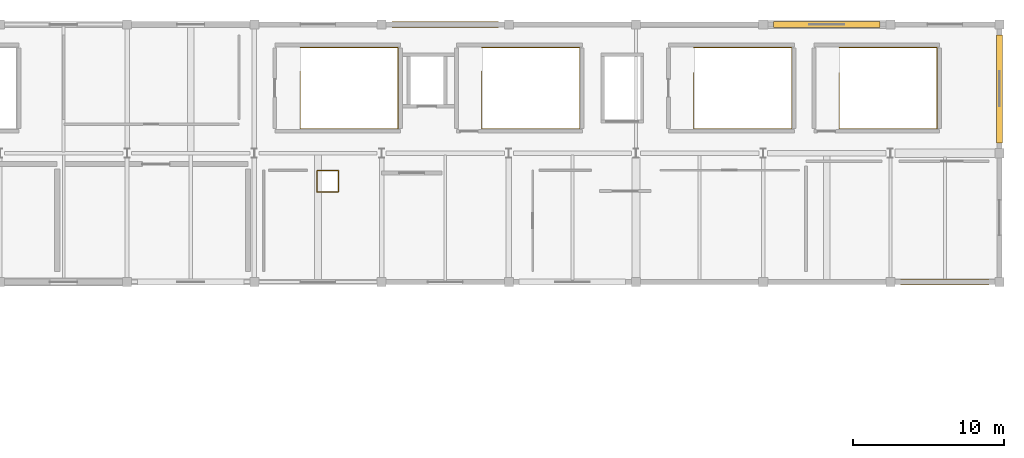
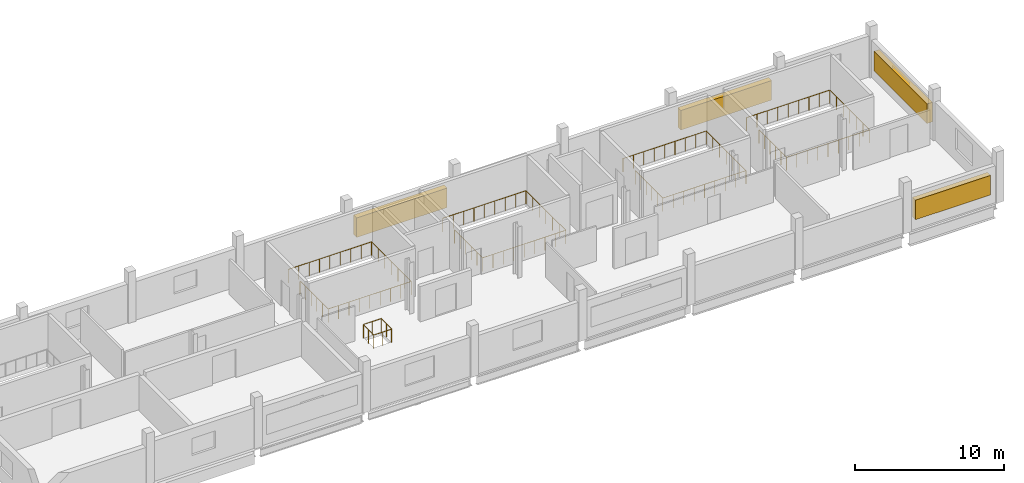
# One storey, part 13 of 13: 6 railings, 4 coverings.
"""IFC4 building model written with IfcOpenShell, lengths in metres."""

from ifc_helpers import new_model, si_unit, direction, frame, origin, origin_2d, place, context, subcontext, project, spatial, rectangle, circle, extrude, material, layer, layer_set, type_object, element, save


model = new_model("IFC4")

# Units and contexts
model_context = context("Model", 3, precision=1e-05, world=origin(), true_north=direction((0.0, 1.0)))
body_context = subcontext(model_context, "Body", "Model", "MODEL_VIEW")
ifc_project = project(units=[si_unit("LENGTHUNIT", "METRE"), si_unit("AREAUNIT", "SQUARE_METRE"), si_unit("VOLUMEUNIT", "CUBIC_METRE"), si_unit("PLANEANGLEUNIT", "RADIAN"), si_unit("MASSUNIT", "GRAM", prefix="KILO")], contexts=[model_context])

# Site, building, storey
site_placement = place(None, origin())
site = spatial("IfcSite", under=ifc_project, at=site_placement, CompositionType="ELEMENT")
building_placement = place(site_placement, origin())
building = spatial("IfcBuilding", under=site, at=building_placement, Name="Solvento Point Concert Hall", CompositionType="ELEMENT")
storey_placement = place(building_placement, frame((0.0, 0.0, 23.699951171875)))
storey = spatial("IfcBuildingStorey", under=building, at=storey_placement, Name="L05", CompositionType="ELEMENT", Elevation=23.699951171875)

# Railings
ifc_material_1 = material(Name="Brushed Stainless Steel Balustrade", Category="steel")
railing_type_1 = type_object("IfcRailingType", Name="StairWellGuard_1100", PredefinedType="BALUSTRADE", material=ifc_material_1)
railing_1_placement = place(storey_placement, frame((169.820068359375, 132.89990234375, 0.0)))
element("IfcRailing", 1, at=railing_1_placement, inside=storey, type_object=railing_type_1, Name="Stairwell guard GR-02 ST-01 L05", PredefinedType="BALUSTRADE", context=body_context, shape_type="SweptSolid", body=[
    extrude(circle(Radius=0.02392578125, at=origin_2d()), frame((0.0, 0.0, 1.09619140625), z_axis=(0.0, -1.0, 0.0), x_axis=(1.0, 0.0, 0.0)), (0.0, 0.0, 1.0), 3.77978515625),
    extrude(circle(Radius=0.02392578125, at=origin_2d()), frame((0.0, -3.77978515625, 1.09619140625), z_axis=(1.0, 0.0, 0.0), x_axis=(0.0, 1.0, 0.0)), (0.0, 0.0, 1.0), 6.4599609375),
    extrude(circle(Radius=0.02392578125, at=origin_2d()), frame((6.4599609375, -3.77978515625, 1.09619140625), z_axis=(0.0, 1.0, 0.0), x_axis=(-1.0, 0.0, 0.0)), (0.0, 0.0, 1.0), 5.35986328125),
    extrude(circle(Radius=0.02392578125, at=origin_2d()), frame((6.4599609375, 1.580078125, 1.09619140625), z_axis=(-1.0, 0.0, 0.0), x_axis=(0.0, -1.0, 0.0)), (0.0, 0.0, 1.0), 6.4599609375),
    extrude(circle(Radius=0.02392578125, at=origin_2d()), frame((0.0, 1.580078125, 1.09619140625), z_axis=(0.0, 1.0, 0.0), x_axis=(-1.0, 0.0, 0.0)), (0.0, 0.0, 1.0), 0.02001953125),
    extrude(circle(Radius=0.02099609375, at=origin_2d()), origin(), (0.0, 0.0, 1.0), 1.072021484375),
    extrude(circle(Radius=0.02099609375, at=origin_2d()), frame((0.0, -0.755859375, 0.0)), (0.0, 0.0, 1.0), 1.072021484375),
    extrude(circle(Radius=0.02099609375, at=origin_2d()), frame((0.0, -1.511962890625, 0.0)), (0.0, 0.0, 1.0), 1.072021484375),
    extrude(circle(Radius=0.02099609375, at=origin_2d()), frame((0.0, -2.267822265625, 0.0)), (0.0, 0.0, 1.0), 1.072021484375),
    extrude(circle(Radius=0.02099609375, at=origin_2d()), frame((0.0, -3.02392578125, 0.0)), (0.0, 0.0, 1.0), 1.072021484375),
    extrude(circle(Radius=0.02099609375, at=origin_2d()), frame((0.0, -3.77978515625, 0.0)), (0.0, 0.0, 1.0), 1.072021484375),
    extrude(circle(Radius=0.02099609375, at=origin_2d()), frame((0.8076171875, -3.77978515625, 0.0)), (0.0, 0.0, 1.0), 1.072021484375),
    extrude(circle(Radius=0.02099609375, at=origin_2d()), frame((1.614990234375, -3.77978515625, 0.0)), (0.0, 0.0, 1.0), 1.072021484375),
    extrude(circle(Radius=0.02099609375, at=origin_2d()), frame((2.42236328125, -3.77978515625, 0.0)), (0.0, 0.0, 1.0), 1.072021484375),
    extrude(circle(Radius=0.02099609375, at=origin_2d()), frame((3.22998046875, -3.77978515625, 0.0)), (0.0, 0.0, 1.0), 1.072021484375),
    extrude(circle(Radius=0.02099609375, at=origin_2d()), frame((4.03759765625, -3.77978515625, 0.0)), (0.0, 0.0, 1.0), 1.072021484375),
    extrude(circle(Radius=0.02099609375, at=origin_2d()), frame((4.844970703125, -3.77978515625, 0.0)), (0.0, 0.0, 1.0), 1.072021484375),
    extrude(circle(Radius=0.02099609375, at=origin_2d()), frame((5.65234375, -3.77978515625, 0.0)), (0.0, 0.0, 1.0), 1.072021484375),
    extrude(circle(Radius=0.02099609375, at=origin_2d()), frame((6.4599609375, -3.77978515625, 0.0)), (0.0, 0.0, 1.0), 1.072021484375),
    extrude(circle(Radius=0.02099609375, at=origin_2d()), frame((6.4599609375, -2.886474609375, 0.0)), (0.0, 0.0, 1.0), 1.072021484375),
    extrude(circle(Radius=0.02099609375, at=origin_2d()), frame((6.4599609375, -1.9931640625, 0.0)), (0.0, 0.0, 1.0), 1.072021484375),
    extrude(circle(Radius=0.02099609375, at=origin_2d()), frame((6.4599609375, -1.099853515625, 0.0)), (0.0, 0.0, 1.0), 1.072021484375),
    extrude(circle(Radius=0.02099609375, at=origin_2d()), frame((6.4599609375, -0.20654296875, 0.0)), (0.0, 0.0, 1.0), 1.072021484375),
    extrude(circle(Radius=0.02099609375, at=origin_2d()), frame((6.4599609375, 0.686767578125, 0.0)), (0.0, 0.0, 1.0), 1.072021484375),
    extrude(circle(Radius=0.02099609375, at=origin_2d()), frame((6.4599609375, 1.580078125, 0.0)), (0.0, 0.0, 1.0), 1.072021484375),
    extrude(circle(Radius=0.02099609375, at=origin_2d()), frame((5.65234375, 1.580078125, 0.0)), (0.0, 0.0, 1.0), 1.072021484375),
    extrude(circle(Radius=0.02099609375, at=origin_2d()), frame((4.844970703125, 1.580078125, 0.0)), (0.0, 0.0, 1.0), 1.072021484375),
    extrude(circle(Radius=0.02099609375, at=origin_2d()), frame((4.03759765625, 1.580078125, 0.0)), (0.0, 0.0, 1.0), 1.072021484375),
    extrude(circle(Radius=0.02099609375, at=origin_2d()), frame((3.22998046875, 1.580078125, 0.0)), (0.0, 0.0, 1.0), 1.072021484375),
    extrude(circle(Radius=0.02099609375, at=origin_2d()), frame((2.42236328125, 1.580078125, 0.0)), (0.0, 0.0, 1.0), 1.072021484375),
    extrude(circle(Radius=0.02099609375, at=origin_2d()), frame((1.614990234375, 1.580078125, 0.0)), (0.0, 0.0, 1.0), 1.072021484375),
    extrude(circle(Radius=0.02099609375, at=origin_2d()), frame((0.8076171875, 1.580078125, 0.0)), (0.0, 0.0, 1.0), 1.072021484375),
    extrude(circle(Radius=0.02099609375, at=origin_2d()), frame((0.0, 1.580078125, 0.0)), (0.0, 0.0, 1.0), 1.072021484375),
    extrude(circle(Radius=0.02099609375, at=origin_2d()), frame((0.0, 1.60009765625, 0.0)), (0.0, 0.0, 1.0), 1.072021484375),
])
railing_2_placement = place(storey_placement, frame((195.820068359375, 132.820068359375, 0.0)))
element("IfcRailing", 2, at=railing_2_placement, inside=storey, type_object=railing_type_1, Name="Stairwell guard GR-02 ST-02 L05", PredefinedType="BALUSTRADE", context=body_context, shape_type="SweptSolid", body=[
    extrude(circle(Radius=0.02392578125, at=origin_2d()), frame((0.0, 0.0, 1.09619140625), z_axis=(0.0, -1.0, 0.0), x_axis=(1.0, 0.0, 0.0)), (0.0, 0.0, 1.0), 3.699951171875),
    extrude(circle(Radius=0.02392578125, at=origin_2d()), frame((0.0, -3.699951171875, 1.09619140625), z_axis=(1.0, 0.0, 0.0), x_axis=(0.0, 1.0, 0.0)), (0.0, 0.0, 1.0), 6.4599609375),
    extrude(circle(Radius=0.02392578125, at=origin_2d()), frame((6.4599609375, -3.699951171875, 1.09619140625), z_axis=(0.0, 1.0, 0.0), x_axis=(-1.0, 0.0, 0.0)), (0.0, 0.0, 1.0), 5.35986328125),
    extrude(circle(Radius=0.02392578125, at=origin_2d()), frame((6.4599609375, 1.659912109375, 1.09619140625), z_axis=(-1.0, 0.0, 0.0), x_axis=(0.0, -1.0, 0.0)), (0.0, 0.0, 1.0), 6.4599609375),
    extrude(circle(Radius=0.02392578125, at=origin_2d()), frame((0.0, 1.659912109375, 1.09619140625), z_axis=(0.0, 1.0, 0.0), x_axis=(-1.0, 0.0, 0.0)), (0.0, 0.0, 1.0), 0.02001953125),
    extrude(circle(Radius=0.02099609375, at=origin_2d()), origin(), (0.0, 0.0, 1.0), 1.072021484375),
    extrude(circle(Radius=0.02099609375, at=origin_2d()), frame((0.0, -0.739990234375, 0.0)), (0.0, 0.0, 1.0), 1.072021484375),
    extrude(circle(Radius=0.02099609375, at=origin_2d()), frame((0.0, -1.47998046875, 0.0)), (0.0, 0.0, 1.0), 1.072021484375),
    extrude(circle(Radius=0.02099609375, at=origin_2d()), frame((0.0, -2.219970703125, 0.0)), (0.0, 0.0, 1.0), 1.072021484375),
    extrude(circle(Radius=0.02099609375, at=origin_2d()), frame((0.0, -2.9599609375, 0.0)), (0.0, 0.0, 1.0), 1.072021484375),
    extrude(circle(Radius=0.02099609375, at=origin_2d()), frame((0.0, -3.699951171875, 0.0)), (0.0, 0.0, 1.0), 1.072021484375),
    extrude(circle(Radius=0.02099609375, at=origin_2d()), frame((0.8076171875, -3.699951171875, 0.0)), (0.0, 0.0, 1.0), 1.072021484375),
    extrude(circle(Radius=0.02099609375, at=origin_2d()), frame((1.614990234375, -3.699951171875, 0.0)), (0.0, 0.0, 1.0), 1.072021484375),
    extrude(circle(Radius=0.02099609375, at=origin_2d()), frame((2.42236328125, -3.699951171875, 0.0)), (0.0, 0.0, 1.0), 1.072021484375),
    extrude(circle(Radius=0.02099609375, at=origin_2d()), frame((3.22998046875, -3.699951171875, 0.0)), (0.0, 0.0, 1.0), 1.072021484375),
    extrude(circle(Radius=0.02099609375, at=origin_2d()), frame((4.03759765625, -3.699951171875, 0.0)), (0.0, 0.0, 1.0), 1.072021484375),
    extrude(circle(Radius=0.02099609375, at=origin_2d()), frame((4.844970703125, -3.699951171875, 0.0)), (0.0, 0.0, 1.0), 1.072021484375),
    extrude(circle(Radius=0.02099609375, at=origin_2d()), frame((5.65234375, -3.699951171875, 0.0)), (0.0, 0.0, 1.0), 1.072021484375),
    extrude(circle(Radius=0.02099609375, at=origin_2d()), frame((6.4599609375, -3.699951171875, 0.0)), (0.0, 0.0, 1.0), 1.072021484375),
    extrude(circle(Radius=0.02099609375, at=origin_2d()), frame((6.4599609375, -2.806640625, 0.0)), (0.0, 0.0, 1.0), 1.072021484375),
    extrude(circle(Radius=0.02099609375, at=origin_2d()), frame((6.4599609375, -1.913330078125, 0.0)), (0.0, 0.0, 1.0), 1.072021484375),
    extrude(circle(Radius=0.02099609375, at=origin_2d()), frame((6.4599609375, -1.02001953125, 0.0)), (0.0, 0.0, 1.0), 1.072021484375),
    extrude(circle(Radius=0.02099609375, at=origin_2d()), frame((6.4599609375, -0.126708984375, 0.0)), (0.0, 0.0, 1.0), 1.072021484375),
    extrude(circle(Radius=0.02099609375, at=origin_2d()), frame((6.4599609375, 0.7666015625, 0.0)), (0.0, 0.0, 1.0), 1.072021484375),
    extrude(circle(Radius=0.02099609375, at=origin_2d()), frame((6.4599609375, 1.659912109375, 0.0)), (0.0, 0.0, 1.0), 1.072021484375),
    extrude(circle(Radius=0.02099609375, at=origin_2d()), frame((5.65234375, 1.659912109375, 0.0)), (0.0, 0.0, 1.0), 1.072021484375),
    extrude(circle(Radius=0.02099609375, at=origin_2d()), frame((4.844970703125, 1.659912109375, 0.0)), (0.0, 0.0, 1.0), 1.072021484375),
    extrude(circle(Radius=0.02099609375, at=origin_2d()), frame((4.03759765625, 1.659912109375, 0.0)), (0.0, 0.0, 1.0), 1.072021484375),
    extrude(circle(Radius=0.02099609375, at=origin_2d()), frame((3.22998046875, 1.659912109375, 0.0)), (0.0, 0.0, 1.0), 1.072021484375),
    extrude(circle(Radius=0.02099609375, at=origin_2d()), frame((2.42236328125, 1.659912109375, 0.0)), (0.0, 0.0, 1.0), 1.072021484375),
    extrude(circle(Radius=0.02099609375, at=origin_2d()), frame((1.614990234375, 1.659912109375, 0.0)), (0.0, 0.0, 1.0), 1.072021484375),
    extrude(circle(Radius=0.02099609375, at=origin_2d()), frame((0.8076171875, 1.659912109375, 0.0)), (0.0, 0.0, 1.0), 1.072021484375),
    extrude(circle(Radius=0.02099609375, at=origin_2d()), frame((0.0, 1.659912109375, 0.0)), (0.0, 0.0, 1.0), 1.072021484375),
    extrude(circle(Radius=0.02099609375, at=origin_2d()), frame((0.0, 1.679931640625, 0.0)), (0.0, 0.0, 1.0), 1.072021484375),
])
railing_3_placement = place(storey_placement, frame((181.820068359375, 132.89990234375, 0.0)))
element("IfcRailing", 3, at=railing_3_placement, inside=storey, type_object=railing_type_1, Name="Stairwell guard GR-02 ST-10 L05", PredefinedType="BALUSTRADE", context=body_context, shape_type="SweptSolid", body=[
    extrude(circle(Radius=0.02392578125, at=origin_2d()), frame((0.0, 0.0, 1.09619140625), z_axis=(0.0, -1.0, 0.0), x_axis=(1.0, 0.0, 0.0)), (0.0, 0.0, 1.0), 3.77978515625),
    extrude(circle(Radius=0.02392578125, at=origin_2d()), frame((0.0, -3.77978515625, 1.09619140625), z_axis=(1.0, 0.0, 0.0), x_axis=(0.0, 1.0, 0.0)), (0.0, 0.0, 1.0), 6.4599609375),
    extrude(circle(Radius=0.02392578125, at=origin_2d()), frame((6.4599609375, -3.77978515625, 1.09619140625), z_axis=(0.0, 1.0, 0.0), x_axis=(-1.0, 0.0, 0.0)), (0.0, 0.0, 1.0), 5.35986328125),
    extrude(circle(Radius=0.02392578125, at=origin_2d()), frame((6.4599609375, 1.580078125, 1.09619140625), z_axis=(-1.0, 0.0, 0.0), x_axis=(0.0, -1.0, 0.0)), (0.0, 0.0, 1.0), 6.4599609375),
    extrude(circle(Radius=0.02392578125, at=origin_2d()), frame((0.0, 1.580078125, 1.09619140625), z_axis=(0.0, 1.0, 0.0), x_axis=(-1.0, 0.0, 0.0)), (0.0, 0.0, 1.0), 0.02001953125),
    extrude(circle(Radius=0.02099609375, at=origin_2d()), origin(), (0.0, 0.0, 1.0), 1.072021484375),
    extrude(circle(Radius=0.02099609375, at=origin_2d()), frame((0.0, -0.755859375, 0.0)), (0.0, 0.0, 1.0), 1.072021484375),
    extrude(circle(Radius=0.02099609375, at=origin_2d()), frame((0.0, -1.511962890625, 0.0)), (0.0, 0.0, 1.0), 1.072021484375),
    extrude(circle(Radius=0.02099609375, at=origin_2d()), frame((0.0, -2.267822265625, 0.0)), (0.0, 0.0, 1.0), 1.072021484375),
    extrude(circle(Radius=0.02099609375, at=origin_2d()), frame((0.0, -3.02392578125, 0.0)), (0.0, 0.0, 1.0), 1.072021484375),
    extrude(circle(Radius=0.02099609375, at=origin_2d()), frame((0.0, -3.77978515625, 0.0)), (0.0, 0.0, 1.0), 1.072021484375),
    extrude(circle(Radius=0.02099609375, at=origin_2d()), frame((0.8076171875, -3.77978515625, 0.0)), (0.0, 0.0, 1.0), 1.072021484375),
    extrude(circle(Radius=0.02099609375, at=origin_2d()), frame((1.614990234375, -3.77978515625, 0.0)), (0.0, 0.0, 1.0), 1.072021484375),
    extrude(circle(Radius=0.02099609375, at=origin_2d()), frame((2.42236328125, -3.77978515625, 0.0)), (0.0, 0.0, 1.0), 1.072021484375),
    extrude(circle(Radius=0.02099609375, at=origin_2d()), frame((3.22998046875, -3.77978515625, 0.0)), (0.0, 0.0, 1.0), 1.072021484375),
    extrude(circle(Radius=0.02099609375, at=origin_2d()), frame((4.03759765625, -3.77978515625, 0.0)), (0.0, 0.0, 1.0), 1.072021484375),
    extrude(circle(Radius=0.02099609375, at=origin_2d()), frame((4.844970703125, -3.77978515625, 0.0)), (0.0, 0.0, 1.0), 1.072021484375),
    extrude(circle(Radius=0.02099609375, at=origin_2d()), frame((5.65234375, -3.77978515625, 0.0)), (0.0, 0.0, 1.0), 1.072021484375),
    extrude(circle(Radius=0.02099609375, at=origin_2d()), frame((6.4599609375, -3.77978515625, 0.0)), (0.0, 0.0, 1.0), 1.072021484375),
    extrude(circle(Radius=0.02099609375, at=origin_2d()), frame((6.4599609375, -2.886474609375, 0.0)), (0.0, 0.0, 1.0), 1.072021484375),
    extrude(circle(Radius=0.02099609375, at=origin_2d()), frame((6.4599609375, -1.9931640625, 0.0)), (0.0, 0.0, 1.0), 1.072021484375),
    extrude(circle(Radius=0.02099609375, at=origin_2d()), frame((6.4599609375, -1.099853515625, 0.0)), (0.0, 0.0, 1.0), 1.072021484375),
    extrude(circle(Radius=0.02099609375, at=origin_2d()), frame((6.4599609375, -0.20654296875, 0.0)), (0.0, 0.0, 1.0), 1.072021484375),
    extrude(circle(Radius=0.02099609375, at=origin_2d()), frame((6.4599609375, 0.686767578125, 0.0)), (0.0, 0.0, 1.0), 1.072021484375),
    extrude(circle(Radius=0.02099609375, at=origin_2d()), frame((6.4599609375, 1.580078125, 0.0)), (0.0, 0.0, 1.0), 1.072021484375),
    extrude(circle(Radius=0.02099609375, at=origin_2d()), frame((5.65234375, 1.580078125, 0.0)), (0.0, 0.0, 1.0), 1.072021484375),
    extrude(circle(Radius=0.02099609375, at=origin_2d()), frame((4.844970703125, 1.580078125, 0.0)), (0.0, 0.0, 1.0), 1.072021484375),
    extrude(circle(Radius=0.02099609375, at=origin_2d()), frame((4.03759765625, 1.580078125, 0.0)), (0.0, 0.0, 1.0), 1.072021484375),
    extrude(circle(Radius=0.02099609375, at=origin_2d()), frame((3.22998046875, 1.580078125, 0.0)), (0.0, 0.0, 1.0), 1.072021484375),
    extrude(circle(Radius=0.02099609375, at=origin_2d()), frame((2.42236328125, 1.580078125, 0.0)), (0.0, 0.0, 1.0), 1.072021484375),
    extrude(circle(Radius=0.02099609375, at=origin_2d()), frame((1.614990234375, 1.580078125, 0.0)), (0.0, 0.0, 1.0), 1.072021484375),
    extrude(circle(Radius=0.02099609375, at=origin_2d()), frame((0.8076171875, 1.580078125, 0.0)), (0.0, 0.0, 1.0), 1.072021484375),
    extrude(circle(Radius=0.02099609375, at=origin_2d()), frame((0.0, 1.580078125, 0.0)), (0.0, 0.0, 1.0), 1.072021484375),
    extrude(circle(Radius=0.02099609375, at=origin_2d()), frame((0.0, 1.60009765625, 0.0)), (0.0, 0.0, 1.0), 1.072021484375),
])
railing_4_placement = place(storey_placement, frame((205.419921875, 132.820068359375, 0.0)))
element("IfcRailing", 4, at=railing_4_placement, inside=storey, type_object=railing_type_1, Name="Stairwell guard GR-02 ST-11 L05", PredefinedType="BALUSTRADE", context=body_context, shape_type="SweptSolid", body=[
    extrude(circle(Radius=0.02392578125, at=origin_2d()), frame((0.0, 0.0, 1.09619140625), z_axis=(0.0, -1.0, 0.0), x_axis=(1.0, 0.0, 0.0)), (0.0, 0.0, 1.0), 3.699951171875),
    extrude(circle(Radius=0.02392578125, at=origin_2d()), frame((0.0, -3.699951171875, 1.09619140625), z_axis=(1.0, 0.0, 0.0), x_axis=(0.0, 1.0, 0.0)), (0.0, 0.0, 1.0), 6.4599609375),
    extrude(circle(Radius=0.02392578125, at=origin_2d()), frame((6.4599609375, -3.699951171875, 1.09619140625), z_axis=(0.0, 1.0, 0.0), x_axis=(-1.0, 0.0, 0.0)), (0.0, 0.0, 1.0), 5.35986328125),
    extrude(circle(Radius=0.02392578125, at=origin_2d()), frame((6.4599609375, 1.659912109375, 1.09619140625), z_axis=(-1.0, 0.0, 0.0), x_axis=(0.0, -1.0, 0.0)), (0.0, 0.0, 1.0), 6.4599609375),
    extrude(circle(Radius=0.02392578125, at=origin_2d()), frame((0.0, 1.659912109375, 1.09619140625), z_axis=(0.0, 1.0, 0.0), x_axis=(-1.0, 0.0, 0.0)), (0.0, 0.0, 1.0), 0.02001953125),
    extrude(circle(Radius=0.02099609375, at=origin_2d()), origin(), (0.0, 0.0, 1.0), 1.072021484375),
    extrude(circle(Radius=0.02099609375, at=origin_2d()), frame((0.0, -0.739990234375, 0.0)), (0.0, 0.0, 1.0), 1.072021484375),
    extrude(circle(Radius=0.02099609375, at=origin_2d()), frame((0.0, -1.47998046875, 0.0)), (0.0, 0.0, 1.0), 1.072021484375),
    extrude(circle(Radius=0.02099609375, at=origin_2d()), frame((0.0, -2.219970703125, 0.0)), (0.0, 0.0, 1.0), 1.072021484375),
    extrude(circle(Radius=0.02099609375, at=origin_2d()), frame((0.0, -2.9599609375, 0.0)), (0.0, 0.0, 1.0), 1.072021484375),
    extrude(circle(Radius=0.02099609375, at=origin_2d()), frame((0.0, -3.699951171875, 0.0)), (0.0, 0.0, 1.0), 1.072021484375),
    extrude(circle(Radius=0.02099609375, at=origin_2d()), frame((0.8076171875, -3.699951171875, 0.0)), (0.0, 0.0, 1.0), 1.072021484375),
    extrude(circle(Radius=0.02099609375, at=origin_2d()), frame((1.614990234375, -3.699951171875, 0.0)), (0.0, 0.0, 1.0), 1.072021484375),
    extrude(circle(Radius=0.02099609375, at=origin_2d()), frame((2.42236328125, -3.699951171875, 0.0)), (0.0, 0.0, 1.0), 1.072021484375),
    extrude(circle(Radius=0.02099609375, at=origin_2d()), frame((3.22998046875, -3.699951171875, 0.0)), (0.0, 0.0, 1.0), 1.072021484375),
    extrude(circle(Radius=0.02099609375, at=origin_2d()), frame((4.03759765625, -3.699951171875, 0.0)), (0.0, 0.0, 1.0), 1.072021484375),
    extrude(circle(Radius=0.02099609375, at=origin_2d()), frame((4.844970703125, -3.699951171875, 0.0)), (0.0, 0.0, 1.0), 1.072021484375),
    extrude(circle(Radius=0.02099609375, at=origin_2d()), frame((5.65234375, -3.699951171875, 0.0)), (0.0, 0.0, 1.0), 1.072021484375),
    extrude(circle(Radius=0.02099609375, at=origin_2d()), frame((6.4599609375, -3.699951171875, 0.0)), (0.0, 0.0, 1.0), 1.072021484375),
    extrude(circle(Radius=0.02099609375, at=origin_2d()), frame((6.4599609375, -2.806640625, 0.0)), (0.0, 0.0, 1.0), 1.072021484375),
    extrude(circle(Radius=0.02099609375, at=origin_2d()), frame((6.4599609375, -1.913330078125, 0.0)), (0.0, 0.0, 1.0), 1.072021484375),
    extrude(circle(Radius=0.02099609375, at=origin_2d()), frame((6.4599609375, -1.02001953125, 0.0)), (0.0, 0.0, 1.0), 1.072021484375),
    extrude(circle(Radius=0.02099609375, at=origin_2d()), frame((6.4599609375, -0.126708984375, 0.0)), (0.0, 0.0, 1.0), 1.072021484375),
    extrude(circle(Radius=0.02099609375, at=origin_2d()), frame((6.4599609375, 0.7666015625, 0.0)), (0.0, 0.0, 1.0), 1.072021484375),
    extrude(circle(Radius=0.02099609375, at=origin_2d()), frame((6.4599609375, 1.659912109375, 0.0)), (0.0, 0.0, 1.0), 1.072021484375),
    extrude(circle(Radius=0.02099609375, at=origin_2d()), frame((5.65234375, 1.659912109375, 0.0)), (0.0, 0.0, 1.0), 1.072021484375),
    extrude(circle(Radius=0.02099609375, at=origin_2d()), frame((4.844970703125, 1.659912109375, 0.0)), (0.0, 0.0, 1.0), 1.072021484375),
    extrude(circle(Radius=0.02099609375, at=origin_2d()), frame((4.03759765625, 1.659912109375, 0.0)), (0.0, 0.0, 1.0), 1.072021484375),
    extrude(circle(Radius=0.02099609375, at=origin_2d()), frame((3.22998046875, 1.659912109375, 0.0)), (0.0, 0.0, 1.0), 1.072021484375),
    extrude(circle(Radius=0.02099609375, at=origin_2d()), frame((2.42236328125, 1.659912109375, 0.0)), (0.0, 0.0, 1.0), 1.072021484375),
    extrude(circle(Radius=0.02099609375, at=origin_2d()), frame((1.614990234375, 1.659912109375, 0.0)), (0.0, 0.0, 1.0), 1.072021484375),
    extrude(circle(Radius=0.02099609375, at=origin_2d()), frame((0.8076171875, 1.659912109375, 0.0)), (0.0, 0.0, 1.0), 1.072021484375),
    extrude(circle(Radius=0.02099609375, at=origin_2d()), frame((0.0, 1.659912109375, 0.0)), (0.0, 0.0, 1.0), 1.072021484375),
    extrude(circle(Radius=0.02099609375, at=origin_2d()), frame((0.0, 1.679931640625, 0.0)), (0.0, 0.0, 1.0), 1.072021484375),
])

# Coverings
ifc_material_2 = material(Name="Precast concrete C45/55", Category="concrete")
ifc_layer = layer(ifc_material_2, 0.159912109375)
ifc_layer_set = layer_set([ifc_layer], Name="Precast concrete C45/55")
covering_type = type_object("IfcCoveringType", Name="StormScreen_Precast", PredefinedType="CLADDING", material=ifc_layer_set)
for number, where, z_axis, x_axis, name in (
    (5, (179.39990234375, 136.0, 0.800048828125), (0.0, 0.0, 1.0), (1.0, 0.0, 0.0), "Perforated precast storm-baffle screen SCR-01"),
    (6, (204.60009765625, 136.0, 0.800048828125), (0.0, 0.0, 1.0), (1.0, 0.0, 0.0), "Perforated precast storm-baffle screen SCR-01"),
):
    element("IfcCovering", number, at=place(storey_placement, frame(where, z_axis=z_axis, x_axis=x_axis)), inside=storey, type_object=covering_type, Name=name, PredefinedType="CLADDING", context=body_context, shape_type="SweptSolid", body=[
        extrude(rectangle(XDim=7.0400390625, YDim=0.419921875, at=origin_2d()), origin(), (0.0, 0.0, 1.0), 1.60009765625),
    ])
covering_1_placement = place(storey_placement, frame((216.0, 131.75, 0.800048828125), z_axis=(0.0, 0.0, 1.0), x_axis=(0.0, -1.0, 0.0)))
element("IfcCovering", 7, at=covering_1_placement, inside=storey, type_object=covering_type, Name="Perforated precast storm-baffle screen SCR-01", PredefinedType="CLADDING", context=body_context, shape_type="SweptSolid", body=[
    extrude(rectangle(XDim=7.139892578125, YDim=0.419921875, at=origin_2d()), origin(), (0.0, 0.0, 1.0), 1.60009765625),
])
covering_2_placement = place(storey_placement, frame((212.39990234375, 119.0, 0.800048828125), z_axis=(0.0, 0.0, 1.0), x_axis=(-1.0, 0.0, 0.0)))
element("IfcCovering", 8, at=covering_2_placement, inside=storey, type_object=covering_type, Name="Perforated precast storm-baffle screen SCR-01", PredefinedType="CLADDING", context=body_context, shape_type="SweptSolid", body=[
    extrude(rectangle(XDim=5.840087890625, YDim=0.419921875, at=origin_2d()), origin(), (0.0, 0.0, 1.0), 1.60009765625),
])

# Railings
ifc_material_3 = material(Name="Brushed Stainless Steel Balustrade", Category="steel")
railing_type_2 = type_object("IfcRailingType", Name="TerraceBalustrade_1100", PredefinedType="BALUSTRADE", material=ifc_material_3)
railing_5_placement = place(storey_placement, frame((170.93994140625, 126.330078125, 0.0)))
element("IfcRailing", 9, at=railing_5_placement, inside=storey, type_object=railing_type_2, Name="Guard balustrade GR-01 L05", PredefinedType="BALUSTRADE", context=body_context, shape_type="SweptSolid", body=[
    extrude(circle(Radius=0.02392578125, at=origin_2d()), frame((0.0, 0.0, 1.09619140625), z_axis=(0.0, -1.0, 0.0), x_axis=(1.0, 0.0, 0.0)), (0.0, 0.0, 1.0), 1.39013671875),
    extrude(circle(Radius=0.02392578125, at=origin_2d()), frame((0.0, -1.39013671875, 1.09619140625), z_axis=(1.0, 0.0, 0.0), x_axis=(0.0, 1.0, 0.0)), (0.0, 0.0, 1.0), 1.39013671875),
    extrude(circle(Radius=0.02099609375, at=origin_2d()), origin(), (0.0, 0.0, 1.0), 1.072021484375),
    extrude(circle(Radius=0.02099609375, at=origin_2d()), frame((0.0, -0.695068359375, 0.0)), (0.0, 0.0, 1.0), 1.072021484375),
    extrude(circle(Radius=0.02099609375, at=origin_2d()), frame((0.0, -1.39013671875, 0.0)), (0.0, 0.0, 1.0), 1.072021484375),
    extrude(circle(Radius=0.02099609375, at=origin_2d()), frame((0.695068359375, -1.39013671875, 0.0)), (0.0, 0.0, 1.0), 1.072021484375),
    extrude(circle(Radius=0.02099609375, at=origin_2d()), frame((1.39013671875, -1.39013671875, 0.0)), (0.0, 0.0, 1.0), 1.072021484375),
])
railing_6_placement = place(storey_placement, frame((172.360107421875, 124.969970703125, 0.0)))
element("IfcRailing", 10, at=railing_6_placement, inside=storey, type_object=railing_type_2, Name="Guard balustrade GR-01 L05", PredefinedType="BALUSTRADE", context=body_context, shape_type="SweptSolid", body=[
    extrude(circle(Radius=0.02392578125, at=origin_2d()), frame((0.0, 0.0, 1.09619140625), z_axis=(0.0, 1.0, 0.0), x_axis=(-1.0, 0.0, 0.0)), (0.0, 0.0, 1.0), 1.39013671875),
    extrude(circle(Radius=0.02392578125, at=origin_2d()), frame((0.0, 1.39013671875, 1.09619140625), z_axis=(-1.0, 0.0, 0.0), x_axis=(0.0, -1.0, 0.0)), (0.0, 0.0, 1.0), 1.39013671875),
    extrude(circle(Radius=0.02099609375, at=origin_2d()), origin(), (0.0, 0.0, 1.0), 1.072021484375),
    extrude(circle(Radius=0.02099609375, at=origin_2d()), frame((0.0, 0.695068359375, 0.0)), (0.0, 0.0, 1.0), 1.072021484375),
    extrude(circle(Radius=0.02099609375, at=origin_2d()), frame((0.0, 1.39013671875, 0.0)), (0.0, 0.0, 1.0), 1.072021484375),
    extrude(circle(Radius=0.02099609375, at=origin_2d()), frame((-0.695068359375, 1.39013671875, 0.0)), (0.0, 0.0, 1.0), 1.072021484375),
    extrude(circle(Radius=0.02099609375, at=origin_2d()), frame((-1.39013671875, 1.39013671875, 0.0)), (0.0, 0.0, 1.0), 1.072021484375),
])

save(model, "model.ifc")
